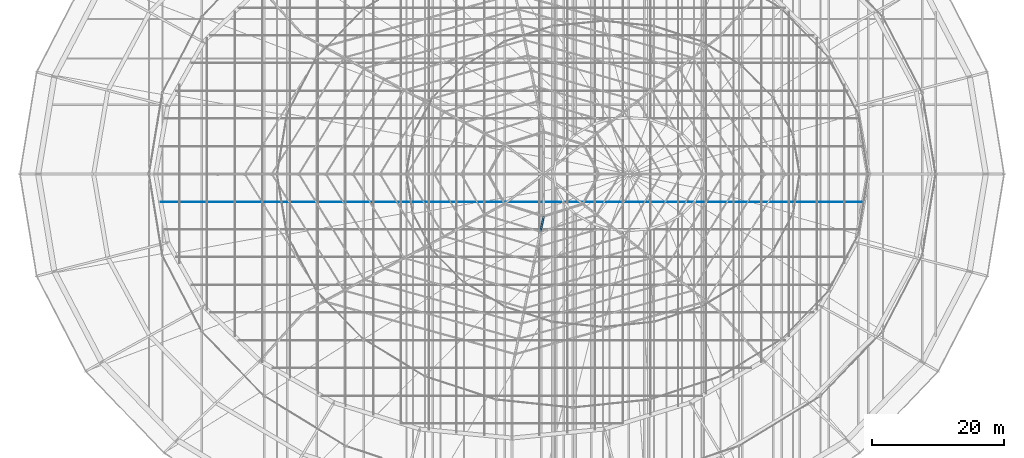
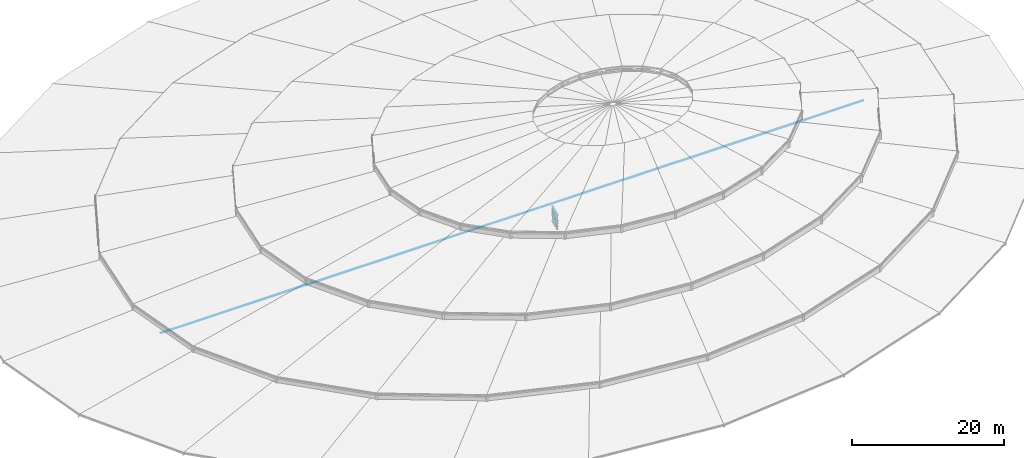
# One storey, part 54 of 184: 2 beams, 2 members.
"""IFC4 building model written with IfcOpenShell, lengths in metres."""

from ifc_helpers import new_model, si_unit, direction, frame, origin, origin_2d, place, context, subcontext, project, spatial, hollow_rectangle, circle, i_section, extrude, material, material_profile, profile_set, type_object, element, save


model = new_model("IFC4")

# Units and contexts
model_context = context("Model", 3, precision=1e-05, world=origin(), true_north=direction((0.0, 1.0)))
body_context = subcontext(model_context, "Body", "Model", "MODEL_VIEW")
ifc_project = project(units=[si_unit("LENGTHUNIT", "METRE"), si_unit("AREAUNIT", "SQUARE_METRE"), si_unit("VOLUMEUNIT", "CUBIC_METRE"), si_unit("PLANEANGLEUNIT", "RADIAN"), si_unit("MASSUNIT", "GRAM", prefix="KILO")], contexts=[model_context])

# Site, building, storey
site_placement = place(None, origin())
site = spatial("IfcSite", under=ifc_project, at=site_placement, CompositionType="ELEMENT")
building_placement = place(site_placement, origin())
building = spatial("IfcBuilding", under=site, at=building_placement, Name="Kalgoora Escarpment Arena", CompositionType="ELEMENT")
storey_placement = place(building_placement, frame((0.0, 0.0, 27.60009765625)))
storey = spatial("IfcBuildingStorey", under=building, at=storey_placement, Name="Roof Level", CompositionType="ELEMENT", Elevation=27.60009765625)

# Beams
ifc_material_1 = material(Name="Structural steel Grade 350 (350 MPa)", Category="steel")
ifc_material_profile_1 = material_profile(ifc_material_1, i_section(OverallWidth=0.300048828125, OverallDepth=1.010009765625, WebThickness=0.01611328125, FlangeThickness=0.030029296875, at=origin_2d()))
ifc_profile_set_1 = profile_set([ifc_material_profile_1], Name="Structural steel Grade 350 (350 MPa)")
beam_type = type_object("IfcBeamType", Name="BM-TRUSS-CHORD", PredefinedType="USERDEFINED", material=ifc_profile_set_1)
for number, where, z_axis, x_axis, name in (
    (1, (96.717529296875, 55.268310546875, -1.60498046875), (0.202605182316, 0.979258381192, 0.002040334162), (-0.979260419507, 0.202605604036, 0.0), "Radial ROOF TRUSS spine 7 bottom chord 11"),
    (2, (96.717529296875, 55.268310546875, -0.260009765625), (0.202603831774, 0.979251853575, 0.004182657151), (-0.979260419507, 0.202605604036, 0.0), "Radial ROOF TRUSS spine 7 top chord 11"),
):
    element("IfcBeam", number, at=place(storey_placement, frame(where, z_axis=z_axis, x_axis=x_axis)), inside=storey, type_object=beam_type, Name=name, ObjectType="GIRDER", PredefinedType="USERDEFINED", context=body_context, shape_type="SweptSolid", body=[
        extrude(i_section(OverallWidth=0.300048828125, OverallDepth=1.010009765625, WebThickness=0.01611328125, FlangeThickness=0.030029296875, at=origin_2d()), origin(), (0.0, 0.0, 1.0), 2.39306640625),
    ])

# Members
ifc_material_2 = material(Name="High-tensile spiral strand steel Grade 450 (350 MPa)", Category="steel")
ifc_material_profile_2 = material_profile(ifc_material_2, circle(Radius=0.0439453125, at=origin_2d()))
ifc_profile_set_2 = profile_set([ifc_material_profile_2], Name="High-tensile spiral strand steel Grade 450 (350 MPa)")
member_type_1 = type_object("IfcMemberType", Name="MEM-CABLE-88", PredefinedType="USERDEFINED", material=ifc_profile_set_2)
member_1_placement = place(storey_placement, frame((39.146484375, 59.800048828125, -1.25), z_axis=(1.0, 0.0, 0.0), x_axis=(0.0, 1.0, 0.0)))
element("IfcMember", 3, at=member_1_placement, inside=storey, type_object=member_type_1, Name="Roof saddle hanging cable X-09", ObjectType="CABLE", PredefinedType="USERDEFINED", context=body_context, shape_type="SweptSolid", body=[
    extrude(circle(Radius=0.0439453125, at=origin_2d()), origin(), (0.0, 0.0, 1.0), 106.507080078125),
])
ifc_material_3 = material(Name="Structural steel C350 (350 MPa)", Category="steel")
ifc_material_profile_3 = material_profile(ifc_material_3, hollow_rectangle(XDim=0.199951171875, YDim=0.199951171875, WallThickness=0.009033203125, at=origin_2d()))
ifc_profile_set_3 = profile_set([ifc_material_profile_3], Name="Structural steel C350 (350 MPa)")
member_type_2 = type_object("IfcMemberType", Name="MEM-TRUSS-DIAG", PredefinedType="BRACE", material=ifc_profile_set_3)
member_2_placement = place(storey_placement, frame((96.719970703125, 55.280029296875, -1.60498046875), z_axis=(0.17586220853, 0.850060309084, 0.496457404548), x_axis=(-0.238054451937, -0.452625956438, 0.859336849827)))
element("IfcMember", 4, at=member_2_placement, inside=storey, type_object=member_type_2, Name="Radial ROOF TRUSS spine 7 web diagonal 11", PredefinedType="BRACE", context=body_context, shape_type="SweptSolid", body=[
    extrude(hollow_rectangle(XDim=0.199951171875, YDim=0.199951171875, WallThickness=0.009033203125, at=origin_2d()), origin(), (0.0, 0.0, 1.0), 2.729248046875),
])

save(model, "model.ifc")
